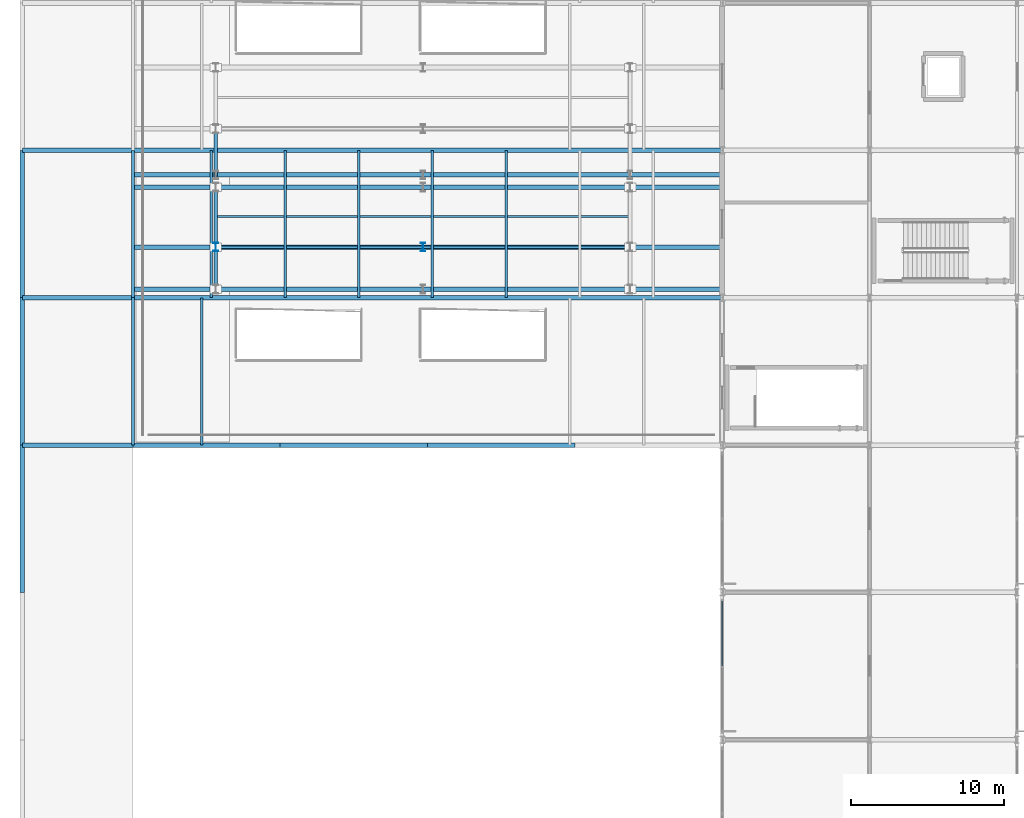
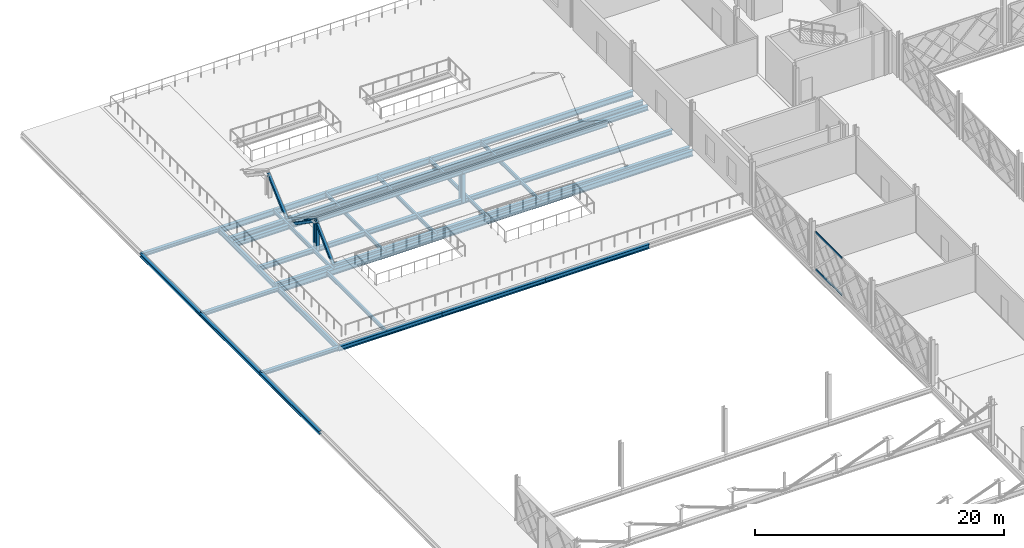
# One storey, part 43 of 101: 25 beams, 7 members, 1 element without a shape of its own.
"""IFC4 building model written with IfcOpenShell, lengths in metres."""

from ifc_helpers import new_model, si_unit, direction, frame, origin, origin_2d, place, context, subcontext, project, spatial, rectangle, hollow_rectangle, i_section, extrude, material, layer, layer_set, material_profile, profile_set, type_object, element, aggregate, save


model = new_model("IFC4")

# Units and contexts
model_context = context("Model", 3, precision=1e-05, world=origin(), true_north=direction((0.0, 1.0)))
body_context = subcontext(model_context, "Body", "Model", "MODEL_VIEW")
ifc_project = project(units=[si_unit("LENGTHUNIT", "METRE"), si_unit("AREAUNIT", "SQUARE_METRE"), si_unit("VOLUMEUNIT", "CUBIC_METRE"), si_unit("PLANEANGLEUNIT", "RADIAN"), si_unit("MASSUNIT", "GRAM", prefix="KILO")], contexts=[model_context])

# Site, building, storey
site_placement = place(None, origin())
site = spatial("IfcSite", under=ifc_project, at=site_placement, CompositionType="ELEMENT")
building_placement = place(site_placement, origin())
building = spatial("IfcBuilding", under=site, at=building_placement, Name="Zevrakil Square Congress Hotel", CompositionType="ELEMENT")
storey_placement = place(building_placement, frame((0.0, 0.0, 5.39990234375)))
storey = spatial("IfcBuildingStorey", under=building, at=storey_placement, Name="L02", CompositionType="ELEMENT", Elevation=5.39990234375)

# Beams
ifc_material_1 = material(Name="Steel S355", Category="steel")
ifc_material_profile_1 = material_profile(ifc_material_1, i_section(OverallWidth=0.300048828125, OverallDepth=0.35009765625, WebThickness=0.010009765625, FlangeThickness=0.017578125, FilletRadius=0.027099609375, at=origin_2d()), Name="HEA 360")
ifc_profile_set_1 = profile_set([ifc_material_profile_1], Name="Steel S355")
beam_type_1 = type_object("IfcBeamType", Name="BM-HEA360", PredefinedType="BEAM", material=ifc_profile_set_1)
for number, where, z_axis, x_axis, name in (
    (1, (0.0, 74.39990234375, -0.434814453125), (1.0, 0.0, 0.0), (0.0, 1.0, 0.0), "L02 primary girder BX-0760"),
    (2, (0.0, 84.0, -0.434814453125), (1.0, 0.0, 0.0), (0.0, 1.0, 0.0), "L02 primary girder BX-0769"),
    (3, (0.0, 93.60009765625, -0.434814453125), (1.0, 0.0, 0.0), (0.0, 1.0, 0.0), "L02 primary girder BX-0779"),
):
    element("IfcBeam", number, at=place(storey_placement, frame(where, z_axis=z_axis, x_axis=x_axis)), inside=storey, type_object=beam_type_1, Name=name, PredefinedType="BEAM", context=body_context, shape_type="SweptSolid", body=[
        extrude(i_section(OverallWidth=0.300048828125, OverallDepth=0.35009765625, WebThickness=0.010009765625, FlangeThickness=0.017578125, FilletRadius=0.027099609375, at=origin_2d()), origin(), (0.0, 0.0, 1.0), 7.199951171875),
    ])
ifc_material_2 = material(Name="Steel S355", Category="steel")
ifc_material_profile_2 = material_profile(ifc_material_2, i_section(OverallWidth=0.300048828125, OverallDepth=0.43994140625, WebThickness=0.011474609375, FlangeThickness=0.02099609375, FilletRadius=0.027099609375, at=origin_2d()), Name="HEA 450")
ifc_profile_set_2 = profile_set([ifc_material_profile_2], Name="Steel S355")
beam_type_2 = type_object("IfcBeamType", Name="BM-HEA450", PredefinedType="BEAM", material=ifc_profile_set_2)
beam_1_placement = place(storey_placement, frame((7.199951171875, 74.39990234375, -0.47998046875), z_axis=(1.0, 0.0, 0.0), x_axis=(0.0, 1.0, 0.0)))
element("IfcBeam", 4, at=beam_1_placement, inside=storey, type_object=beam_type_2, Name="L02 primary girder BX-0761", PredefinedType="BEAM", context=body_context, shape_type="SweptSolid", body=[
    extrude(i_section(OverallWidth=0.300048828125, OverallDepth=0.43994140625, WebThickness=0.011474609375, FlangeThickness=0.02099609375, FilletRadius=0.027099609375, at=origin_2d()), origin(), (0.0, 0.0, 1.0), 9.60009765625),
])
beam_2_placement = place(storey_placement, frame((16.800048828125, 74.39990234375, -0.47998046875), z_axis=(1.0, 0.0, 0.0), x_axis=(0.0, 1.0, 0.0)))
element("IfcBeam", 5, at=beam_2_placement, inside=storey, type_object=beam_type_2, Name="L02 primary girder BX-0762", PredefinedType="BEAM", context=body_context, shape_type="SweptSolid", body=[
    extrude(i_section(OverallWidth=0.300048828125, OverallDepth=0.43994140625, WebThickness=0.011474609375, FlangeThickness=0.02099609375, FilletRadius=0.027099609375, at=origin_2d()), origin(), (0.0, 0.0, 1.0), 9.599853515625),
])
beam_3_placement = place(storey_placement, frame((26.39990234375, 74.39990234375, -0.47998046875), z_axis=(1.0, 0.0, 0.0), x_axis=(0.0, 1.0, 0.0)))
element("IfcBeam", 6, at=beam_3_placement, inside=storey, type_object=beam_type_2, Name="L02 primary girder BX-0763", PredefinedType="BEAM", context=body_context, shape_type="SweptSolid", body=[
    extrude(i_section(OverallWidth=0.300048828125, OverallDepth=0.43994140625, WebThickness=0.011474609375, FlangeThickness=0.02099609375, FilletRadius=0.027099609375, at=origin_2d()), origin(), (0.0, 0.0, 1.0), 9.60009765625),
])
for number, where, z_axis, x_axis, name in (
    (7, (7.199951171875, 84.550048828125, -0.469970703125), (1.0, 0.0, 0.0), (0.0, 1.0, 0.0), "Spa monitor roof support girder SPE-01"),
    (8, (7.199951171875, 91.199951171875, -0.469970703125), (1.0, 0.0, 0.0), (0.0, 1.0, 0.0), "Spa monitor roof support girder SPE-02"),
    (9, (7.199951171875, 87.300048828125, -0.469970703125), (1.0, 0.0, 0.0), (0.0, 1.0, 0.0), "Spa monitor roof support girder SPE-03"),
    (10, (7.199951171875, 92.0, -0.469970703125), (1.0, 0.0, 0.0), (0.0, 1.0, 0.0), "Spa monitor roof support girder SPE-04"),
):
    element("IfcBeam", number, at=place(storey_placement, frame(where, z_axis=z_axis, x_axis=x_axis)), inside=storey, type_object=beam_type_2, Name=name, PredefinedType="BEAM", context=body_context, shape_type="SweptSolid", body=[
        extrude(i_section(OverallWidth=0.300048828125, OverallDepth=0.43994140625, WebThickness=0.011474609375, FlangeThickness=0.02099609375, FilletRadius=0.027099609375, at=origin_2d()), origin(), (0.0, 0.0, 1.0), 38.400146484375),
    ])
ifc_material_3 = material(Name="Steel S355", Category="steel")
ifc_material_profile_3 = material_profile(ifc_material_3, i_section(OverallWidth=0.300048828125, OverallDepth=0.550048828125, WebThickness=0.014892578125, FlangeThickness=0.029052734375, FilletRadius=0.027099609375, at=origin_2d()), Name="HEB 550")
ifc_profile_set_3 = profile_set([ifc_material_profile_3], Name="Steel S355")
beam_type_3 = type_object("IfcBeamType", Name="BM-HEB550", PredefinedType="BEAM", material=ifc_profile_set_3)
for number, where, z_axis, x_axis, name in (
    (11, (7.199951171875, 84.0, -0.52490234375), (1.0, 0.0, 0.0), (0.0, 1.0, 0.0), "Spa pool hall long-span girder SPG-01"),
    (12, (7.199951171875, 93.60009765625, -0.52490234375), (1.0, 0.0, 0.0), (0.0, 1.0, 0.0), "Spa pool hall long-span girder SPG-02"),
):
    element("IfcBeam", number, at=place(storey_placement, frame(where, z_axis=z_axis, x_axis=x_axis)), inside=storey, type_object=beam_type_3, Name=name, PredefinedType="BEAM", context=body_context, shape_type="SweptSolid", body=[
        extrude(i_section(OverallWidth=0.300048828125, OverallDepth=0.550048828125, WebThickness=0.014892578125, FlangeThickness=0.029052734375, FilletRadius=0.027099609375, at=origin_2d()), origin(), (0.0, 0.0, 1.0), 38.400146484375),
    ])
ifc_material_4 = material(Name="Steel S355", Category="steel")
ifc_material_profile_4 = material_profile(ifc_material_4, i_section(OverallWidth=0.199951171875, OverallDepth=0.5, WebThickness=0.01025390625, FlangeThickness=0.01611328125, FilletRadius=0.02099609375, at=origin_2d()), Name="IPE 500")
ifc_profile_set_4 = profile_set([ifc_material_profile_4], Name="Steel S355")
beam_type_4 = type_object("IfcBeamType", Name="BM-IPE500", PredefinedType="BEAM", material=ifc_profile_set_4)
for number, where, z_axis, x_axis, name in (
    (13, (7.199951171875, 74.39990234375, -0.510009765625), (0.0, 1.0, 0.0), (-1.0, 0.0, 0.0), "L02 primary girder BY-0835"),
    (14, (7.199951171875, 84.0, -0.510009765625), (0.0, 1.0, 0.0), (-1.0, 0.0, 0.0), "L02 primary girder BY-0836"),
):
    element("IfcBeam", number, at=place(storey_placement, frame(where, z_axis=z_axis, x_axis=x_axis)), inside=storey, type_object=beam_type_4, Name=name, PredefinedType="BEAM", context=body_context, shape_type="SweptSolid", body=[
        extrude(i_section(OverallWidth=0.199951171875, OverallDepth=0.5, WebThickness=0.01025390625, FlangeThickness=0.01611328125, FilletRadius=0.02099609375, at=origin_2d()), origin(), (0.0, 0.0, 1.0), 9.60009765625),
    ])

# Curtain wall, members
ifc_material_5 = material(Name="Aluminium Anodised Bronze", Category="aluminium")
ifc_layer = layer(ifc_material_5, 0.179931640625)
ifc_layer_set = layer_set([ifc_layer], Name="Aluminium Anodised Bronze")
curtain_wall_type = type_object("IfcCurtainWallType", Name="CW-L02-840", PredefinedType="USERDEFINED", material=ifc_layer_set)
curtain_wall_placement = place(storey_placement, origin())
curtain_wall = element("IfcCurtainWall", 15, at=curtain_wall_placement, inside=storey, type_object=curtain_wall_type, Name="L02 diamond curtain wall CW-L02-0025", ObjectType="GLAZED CURTAIN WALL", PredefinedType="USERDEFINED")
ifc_material_6 = material(Name="Aluminium Anodised Bronze", Category="aluminium")
ifc_material_profile_5 = material_profile(ifc_material_6, rectangle(XDim=0.0849609375, YDim=0.179931640625, at=origin_2d()), Name="ALU 85x180")
ifc_profile_set_5 = profile_set([ifc_material_profile_5], Name="Aluminium Anodised Bronze")
member_type_1 = type_object("IfcMemberType", Name="CWM-ALU85x180", PredefinedType="USERDEFINED", material=ifc_profile_set_5)
member_1_placement = place(storey_placement, frame((45.60009765625, 60.030029296875, 0.030029296875), z_axis=(0.0, 1.0, 0.0), x_axis=(-1.0, 0.0, 0.0)))
member_1 = element("IfcMember", 16, at=member_1_placement, type_object=member_type_1, Name="CW-23 transom 2.1", ObjectType="TRANSOM", PredefinedType="USERDEFINED", context=body_context, shape_type="SweptSolid", body=[
    extrude(rectangle(XDim=0.0849609375, YDim=0.179931640625, at=origin_2d()), origin(), (0.0, 0.0, 1.0), 4.18994140625),
])
member_2_placement = place(storey_placement, frame((45.60009765625, 60.030029296875, 3.64501953125), z_axis=(0.0, 1.0, 0.0), x_axis=(-1.0, 0.0, 0.0)))
member_2 = element("IfcMember", 17, at=member_2_placement, type_object=member_type_1, Name="CW-23 transom 2.2", ObjectType="TRANSOM", PredefinedType="USERDEFINED", context=body_context, shape_type="SweptSolid", body=[
    extrude(rectangle(XDim=0.0849609375, YDim=0.179931640625, at=origin_2d()), origin(), (0.0, 0.0, 1.0), 4.18994140625),
])
aggregate(curtain_wall, [member_1, member_2])

# Beams
ifc_material_7 = material(Name="Steel S355", Category="steel")
ifc_material_profile_6 = material_profile(ifc_material_7, i_section(OverallWidth=0.1201171875, OverallDepth=0.239990234375, WebThickness=0.006103515625, FlangeThickness=0.009765625, FilletRadius=0.014892578125, at=origin_2d()), Name="IPE 240")
ifc_profile_set_6 = profile_set([ifc_material_profile_6], Name="Steel S355")
beam_type_5 = type_object("IfcBeamType", Name="JST-IPE240", PredefinedType="JOIST", material=ifc_profile_set_6)
beam_4_placement = place(storey_placement, frame((12.60009765625, 89.2900390625, 1.110107421875), z_axis=(1.0, 0.0, 0.0), x_axis=(0.0, 1.0, 0.0)))
element("IfcBeam", 18, at=beam_4_placement, inside=storey, type_object=beam_type_5, Name="Spa monitor mid-slope purlin SMP-87", PredefinedType="JOIST", context=body_context, shape_type="SweptSolid", body=[
    extrude(i_section(OverallWidth=0.1201171875, OverallDepth=0.239990234375, WebThickness=0.006103515625, FlangeThickness=0.009765625, FilletRadius=0.014892578125, at=origin_2d()), origin(), (0.0, 0.0, 1.0), 27.0),
])
ifc_material_8 = material(Name="Steel S355", Category="steel")
ifc_material_profile_7 = material_profile(ifc_material_8, i_section(OverallWidth=0.169921875, OverallDepth=0.360107421875, WebThickness=0.008056640625, FlangeThickness=0.0126953125, FilletRadius=0.01806640625, at=origin_2d()), Name="IPE 360")
ifc_profile_set_7 = profile_set([ifc_material_profile_7], Name="Steel S355")
beam_type_6 = type_object("IfcBeamType", Name="JST-IPE360", PredefinedType="JOIST", material=ifc_profile_set_7)
for number, where, z_axis, x_axis, name in (
    (19, (11.679931640625, 74.419921875, -0.429931640625), (0.0, 1.0, 0.0), (-1.0, 0.0, 0.0), "Spa roof garden secondary beam SPJ-01"),
    (20, (12.320068359375, 84.02001953125, -0.429931640625), (0.0, 1.0, 0.0), (-1.0, 0.0, 0.0), "Spa roof garden secondary beam SPJ-02"),
    (21, (17.1201171875, 84.02001953125, -0.429931640625), (0.0, 1.0, 0.0), (-1.0, 0.0, 0.0), "Spa roof garden secondary beam SPJ-05"),
    (22, (21.919921875, 84.02001953125, -0.429931640625), (0.0, 1.0, 0.0), (-1.0, 0.0, 0.0), "Spa roof garden secondary beam SPJ-06"),
    (23, (26.719970703125, 84.02001953125, -0.429931640625), (0.0, 1.0, 0.0), (-1.0, 0.0, 0.0), "Spa roof garden secondary beam SPJ-07"),
    (24, (31.52001953125, 84.02001953125, -0.429931640625), (0.0, 1.0, 0.0), (-1.0, 0.0, 0.0), "Spa roof garden secondary beam SPJ-08"),
):
    element("IfcBeam", number, at=place(storey_placement, frame(where, z_axis=z_axis, x_axis=x_axis)), inside=storey, type_object=beam_type_6, Name=name, PredefinedType="JOIST", context=body_context, shape_type="SweptSolid", body=[
        extrude(i_section(OverallWidth=0.169921875, OverallDepth=0.360107421875, WebThickness=0.008056640625, FlangeThickness=0.0126953125, FilletRadius=0.01806640625, at=origin_2d()), origin(), (0.0, 0.0, 1.0), 9.56005859375),
    ])
beam_5_placement = place(storey_placement, frame((12.60009765625, 87.300048828125, 2.320068359375), z_axis=(1.0, 0.0, 0.0), x_axis=(0.0, 1.0, 0.0)))
element("IfcBeam", 25, at=beam_5_placement, inside=storey, type_object=beam_type_6, Name="Spa monitor ridge beam SRG-87", PredefinedType="JOIST", context=body_context, shape_type="SweptSolid", body=[
    extrude(i_section(OverallWidth=0.169921875, OverallDepth=0.360107421875, WebThickness=0.008056640625, FlangeThickness=0.0126953125, FilletRadius=0.01806640625, at=origin_2d()), origin(), (0.0, 0.0, 1.0), 27.0),
])

# Members
ifc_material_9 = material(Name="Steel S355", Category="steel")
ifc_material_profile_8 = material_profile(ifc_material_9, hollow_rectangle(XDim=0.25, YDim=0.25, WallThickness=0.012451171875, InnerFilletRadius=0.012451171875, OuterFilletRadius=0.02490234375, at=origin_2d()), Name="SHS 250x250x12.5")
ifc_profile_set_8 = profile_set([ifc_material_profile_8], Name="Steel S355")
member_type_2 = type_object("IfcMemberType", Name="MEM-BRACE-SHS250", PredefinedType="BRACE", material=ifc_profile_set_8)
member_3_placement = place(storey_placement, frame((12.60009765625, 84.550048828125, -0.349853515625), z_axis=(0.0, 0.717475818571, 0.696583411922), x_axis=(-1.0, 0.0, 0.0)))
element("IfcMember", 26, at=member_3_placement, inside=storey, type_object=member_type_2, Name="Spa monitor roof gable chord SGF-01", PredefinedType="BRACE", context=body_context, shape_type="SweptSolid", body=[
    extrude(hollow_rectangle(XDim=0.25, YDim=0.25, WallThickness=0.012451171875, InnerFilletRadius=0.012451171875, OuterFilletRadius=0.02490234375, at=origin_2d()), origin(), (0.0, 0.0, 1.0), 3.832763671875),
])
member_4_placement = place(storey_placement, frame((12.60009765625, 91.199951171875, -0.349853515625), z_axis=(0.0, -0.825152652239, 0.564909816257), x_axis=(1.0, 0.0, 0.0)))
element("IfcMember", 27, at=member_4_placement, inside=storey, type_object=member_type_2, Name="Spa monitor roof gable chord SGF-02", PredefinedType="BRACE", context=body_context, shape_type="SweptSolid", body=[
    extrude(hollow_rectangle(XDim=0.25, YDim=0.25, WallThickness=0.012451171875, InnerFilletRadius=0.012451171875, OuterFilletRadius=0.02490234375, at=origin_2d()), origin(), (0.0, 0.0, 1.0), 4.726318359375),
])
member_5_placement = place(storey_placement, frame((12.60009765625, 92.0, -0.349853515625), z_axis=(0.0, 0.747006699471, 0.66481650923), x_axis=(-1.0, 0.0, 0.0)))
element("IfcMember", 28, at=member_5_placement, inside=storey, type_object=member_type_2, Name="Spa monitor roof gable chord SGF-05", PredefinedType="BRACE", context=body_context, shape_type="SweptSolid", body=[
    extrude(hollow_rectangle(XDim=0.25, YDim=0.25, WallThickness=0.012451171875, InnerFilletRadius=0.012451171875, OuterFilletRadius=0.02490234375, at=origin_2d()), origin(), (0.0, 0.0, 1.0), 4.01611328125),
])
ifc_material_10 = material(Name="Steel S355", Category="steel")
ifc_material_profile_9 = material_profile(ifc_material_10, i_section(OverallWidth=0.305908203125, OverallDepth=0.572021484375, WebThickness=0.02099609375, FlangeThickness=0.0400390625, FilletRadius=0.027099609375, at=origin_2d()), Name="HEM 550")
ifc_profile_set_9 = profile_set([ifc_material_profile_9], Name="Steel S355")
member_type_3 = type_object("IfcMemberType", Name="MEM-CHORD-HEM550", PredefinedType="CHORD", material=ifc_profile_set_9)
for number, where, z_axis, x_axis, name in (
    (29, (12.60009765625, 87.300048828125, -0.469970703125), (0.0, 0.0, 1.0), (1.0, 0.0, 0.0), "Spa monitor ridge post SPR-87W"),
    (30, (26.10009765625, 87.300048828125, -0.469970703125), (0.0, 0.0, 1.0), (1.0, 0.0, 0.0), "Spa monitor ridge post SPR-87M"),
):
    element("IfcMember", number, at=place(storey_placement, frame(where, z_axis=z_axis, x_axis=x_axis)), inside=storey, type_object=member_type_3, Name=name, PredefinedType="CHORD", context=body_context, shape_type="SweptSolid", body=[
        extrude(i_section(OverallWidth=0.305908203125, OverallDepth=0.572021484375, WebThickness=0.02099609375, FlangeThickness=0.0400390625, FilletRadius=0.027099609375, at=origin_2d()), origin(), (0.0, 0.0, 1.0), 2.7900390625),
    ])

# Beams
ifc_material_11 = material(Name="Steel S355", Category="steel")
ifc_material_profile_10 = material_profile(ifc_material_11, i_section(OverallWidth=0.300048828125, OverallDepth=0.300048828125, WebThickness=0.010986328125, FlangeThickness=0.01904296875, FilletRadius=0.027099609375, at=origin_2d()), Name="HEB 300")
ifc_profile_set_10 = profile_set([ifc_material_profile_10], Name="Steel S355")
beam_type_7 = type_object("IfcBeamType", Name="SPD-RHS250", PredefinedType="SPANDREL", material=ifc_profile_set_10)
beam_6_placement = place(storey_placement, frame((0.0, 64.800048828125, -0.409912109375), z_axis=(0.0, 1.0, 0.0), x_axis=(-1.0, 0.0, 0.0)))
element("IfcBeam", 31, at=beam_6_placement, inside=storey, type_object=beam_type_7, Name="L02 primary girder BY-0825", PredefinedType="SPANDREL", context=body_context, shape_type="SweptSolid", body=[
    extrude(i_section(OverallWidth=0.300048828125, OverallDepth=0.300048828125, WebThickness=0.010986328125, FlangeThickness=0.01904296875, FilletRadius=0.027099609375, at=origin_2d()), origin(), (0.0, 0.0, 1.0), 9.599853515625),
])
for number, where, z_axis, x_axis, name in (
    (32, (0.0, 74.39990234375, -0.409912109375), (0.0, 1.0, 0.0), (-1.0, 0.0, 0.0), "L02 primary girder BY-0826"),
    (33, (0.0, 84.0, -0.409912109375), (0.0, 1.0, 0.0), (-1.0, 0.0, 0.0), "L02 primary girder BY-0827"),
):
    element("IfcBeam", number, at=place(storey_placement, frame(where, z_axis=z_axis, x_axis=x_axis)), inside=storey, type_object=beam_type_7, Name=name, PredefinedType="SPANDREL", context=body_context, shape_type="SweptSolid", body=[
        extrude(i_section(OverallWidth=0.300048828125, OverallDepth=0.300048828125, WebThickness=0.010986328125, FlangeThickness=0.01904296875, FilletRadius=0.027099609375, at=origin_2d()), origin(), (0.0, 0.0, 1.0), 9.60009765625),
    ])

save(model, "model.ifc")
